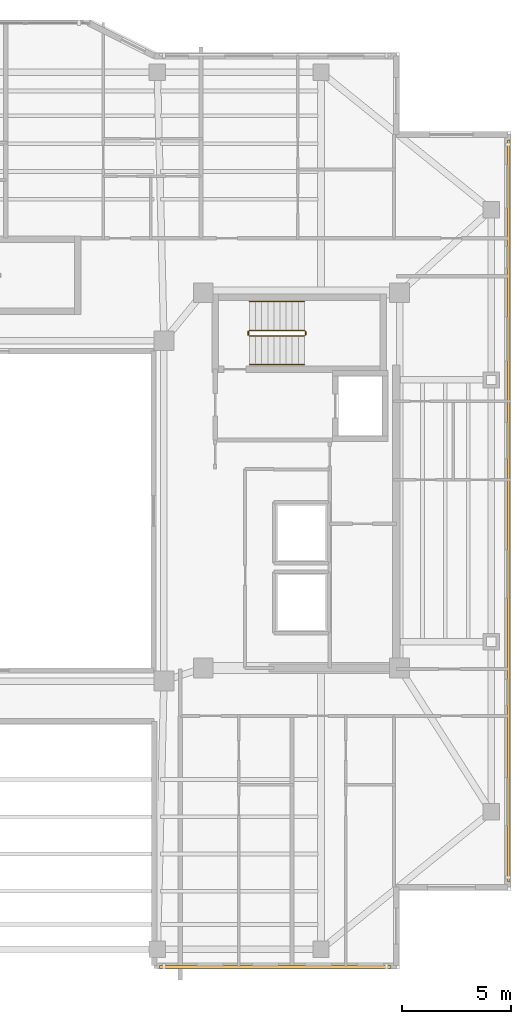
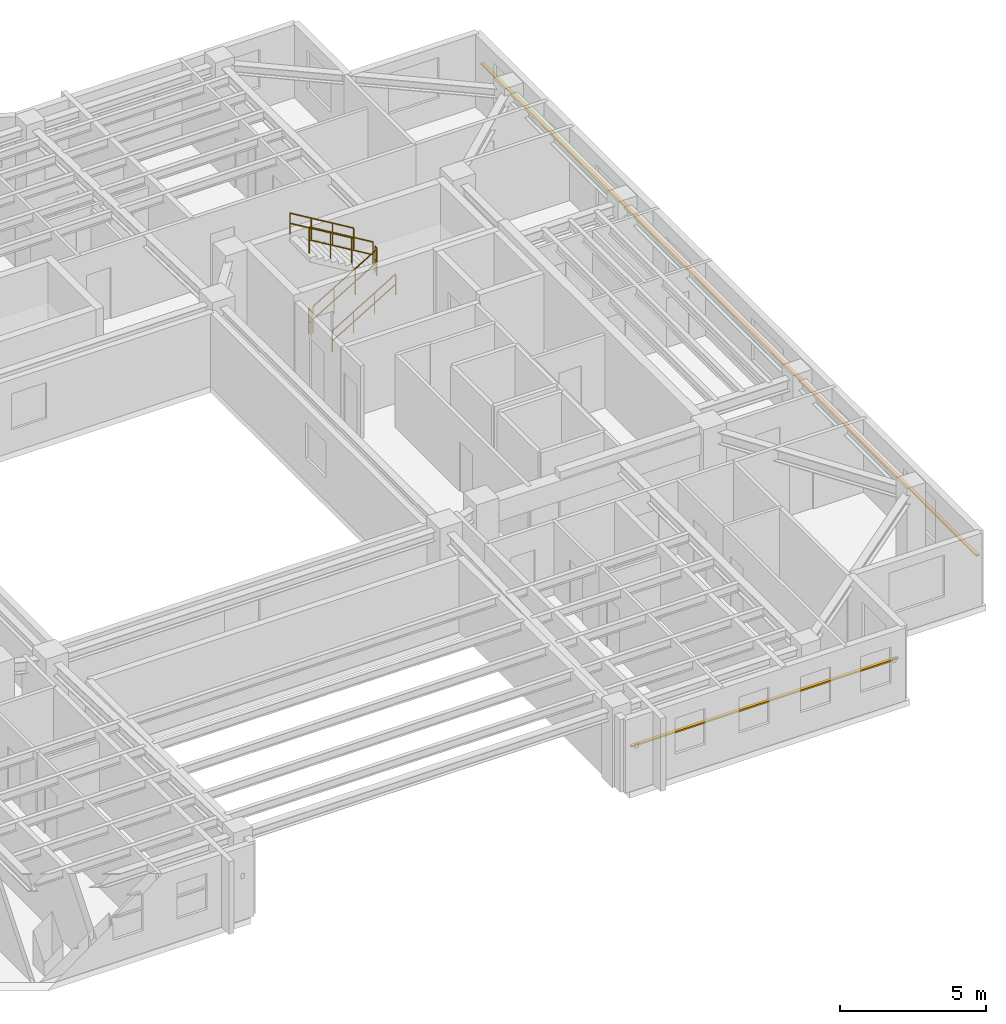
# One storey, part 12 of 13: 6 railings, 2 shading devices.
"""IFC4 building model written with IfcOpenShell, lengths in metres."""

from ifc_helpers import new_model, si_unit, direction, frame, origin, origin_2d, place, context, subcontext, project, spatial, rectangle, circle, extrude, material, material_profile, profile_set, type_object, element, save


model = new_model("IFC4")

# Units and contexts
model_context = context("Model", 3, precision=1e-05, world=origin(), true_north=direction((0.0, 1.0)))
body_context = subcontext(model_context, "Body", "Model", "MODEL_VIEW")
ifc_project = project(units=[si_unit("LENGTHUNIT", "METRE"), si_unit("AREAUNIT", "SQUARE_METRE"), si_unit("VOLUMEUNIT", "CUBIC_METRE"), si_unit("PLANEANGLEUNIT", "RADIAN"), si_unit("MASSUNIT", "GRAM", prefix="KILO")], contexts=[model_context])

# Site, building, storey
site_placement = place(None, origin())
site = spatial("IfcSite", under=ifc_project, at=site_placement, CompositionType="ELEMENT")
building_placement = place(site_placement, origin())
building = spatial("IfcBuilding", under=site, at=building_placement, Name="Tarnavaz Court Tower", CompositionType="ELEMENT")
storey_placement = place(building_placement, frame((0.0, 0.0, 223.75)))
storey = spatial("IfcBuildingStorey", under=building, at=storey_placement, Name="L61", CompositionType="ELEMENT", Elevation=223.75)

# Railings
ifc_material_1 = material(Name="Brushed Stainless Steel", Category="steel")
railing_type_1 = type_object("IfcRailingType", Name="RL-HANDRAIL-900", PredefinedType="HANDRAIL", material=ifc_material_1)
railing_1_placement = place(storey_placement, frame((11.719970703125, 6.699951171875, 0.16748046875)))
element("IfcRailing", 1, at=railing_1_placement, inside=storey, type_object=railing_type_1, Name="L61 ST-E1 stair handrail 1", PredefinedType="HANDRAIL", context=body_context, shape_type="SweptSolid", body=[
    extrude(circle(Radius=0.02392578125, at=origin_2d()), frame((0.0, 0.0, 0.8759765625), z_axis=(0.858159760407, 0.0, 0.513382728203), x_axis=(0.0, 1.0, 0.0)), (0.0, 0.0, 1.0), 2.9365234375),
    extrude(circle(Radius=0.02392578125, at=origin_2d()), frame((0.0, 0.0, 0.449951171875), z_axis=(0.858159760407, 0.0, 0.513382728203), x_axis=(0.0, 1.0, 0.0)), (0.0, 0.0, 1.0), 2.9365234375),
    extrude(circle(Radius=0.02099609375, at=origin_2d()), origin(), (0.0, 0.0, 1.0), 0.851806640625),
    extrude(circle(Radius=0.02099609375, at=origin_2d()), frame((0.840087890625, 0.0, 0.50244140625)), (0.0, 0.0, 1.0), 0.851806640625),
    extrude(circle(Radius=0.02099609375, at=origin_2d()), frame((1.679931640625, 0.0, 1.005126953125)), (0.0, 0.0, 1.0), 0.851806640625),
    extrude(circle(Radius=0.02099609375, at=origin_2d()), frame((2.52001953125, 0.0, 1.507568359375)), (0.0, 0.0, 1.0), 0.851806640625),
])
railing_2_placement = place(storey_placement, frame((14.239990234375, 9.590087890625, 1.842529296875)))
element("IfcRailing", 2, at=railing_2_placement, inside=storey, type_object=railing_type_1, Name="L61 ST-E1 stair handrail 2", PredefinedType="HANDRAIL", context=body_context, shape_type="SweptSolid", body=[
    extrude(circle(Radius=0.02392578125, at=origin_2d()), frame((0.0, 0.0, 0.8759765625), z_axis=(-0.858159760407, 0.0, 0.513382728203), x_axis=(0.0, -1.0, 0.0)), (0.0, 0.0, 1.0), 2.9365234375),
    extrude(circle(Radius=0.02392578125, at=origin_2d()), frame((0.0, 0.0, 0.449951171875), z_axis=(-0.858159760407, 0.0, 0.513382728203), x_axis=(0.0, -1.0, 0.0)), (0.0, 0.0, 1.0), 2.9365234375),
    extrude(circle(Radius=0.02099609375, at=origin_2d()), origin(), (0.0, 0.0, 1.0), 0.851806640625),
    extrude(circle(Radius=0.02099609375, at=origin_2d()), frame((-0.840087890625, 0.0, 0.50244140625)), (0.0, 0.0, 1.0), 0.851806640625),
    extrude(circle(Radius=0.02099609375, at=origin_2d()), frame((-1.679931640625, 0.0, 1.005126953125)), (0.0, 0.0, 1.0), 0.851806640625),
    extrude(circle(Radius=0.02099609375, at=origin_2d()), frame((-2.52001953125, 0.0, 1.507568359375)), (0.0, 0.0, 1.0), 0.851806640625),
])
ifc_material_2 = material(Name="Galvanized Painted Tubular Steel", Category="steel")
railing_type_2 = type_object("IfcRailingType", Name="RL-STGUARD-1120", PredefinedType="GUARDRAIL", material=ifc_material_2)
railing_3_placement = place(storey_placement, frame((11.719970703125, 8.02001953125, 0.16748046875)))
element("IfcRailing", 3, at=railing_3_placement, inside=storey, type_object=railing_type_2, Name="L61 ST-E1 stair guard 1", PredefinedType="GUARDRAIL", context=body_context, shape_type="SweptSolid", body=[
    extrude(circle(Radius=0.02392578125, at=origin_2d()), frame((0.0, 0.0, 1.09619140625), z_axis=(0.858159760407, 0.0, 0.513382728203), x_axis=(0.0, 1.0, 0.0)), (0.0, 0.0, 1.0), 2.9365234375),
    extrude(circle(Radius=0.02392578125, at=origin_2d()), frame((0.0, 0.0, 0.56005859375), z_axis=(0.858159760407, 0.0, 0.513382728203), x_axis=(0.0, 1.0, 0.0)), (0.0, 0.0, 1.0), 2.9365234375),
    extrude(circle(Radius=0.02099609375, at=origin_2d()), origin(), (0.0, 0.0, 1.0), 1.072021484375),
    extrude(circle(Radius=0.02099609375, at=origin_2d()), frame((0.840087890625, 0.0, 0.50244140625)), (0.0, 0.0, 1.0), 1.072021484375),
    extrude(circle(Radius=0.02099609375, at=origin_2d()), frame((1.679931640625, 0.0, 1.005126953125)), (0.0, 0.0, 1.0), 1.072021484375),
    extrude(circle(Radius=0.02099609375, at=origin_2d()), frame((2.52001953125, 0.0, 1.507568359375)), (0.0, 0.0, 1.0), 1.072021484375),
])
railing_4_placement = place(storey_placement, frame((14.2900390625, 8.070068359375, 1.675048828125)))
element("IfcRailing", 4, at=railing_4_placement, inside=storey, type_object=railing_type_2, Name="L61 ST-E1 stair guard 2", PredefinedType="GUARDRAIL", context=body_context, shape_type="SweptSolid", body=[
    extrude(circle(Radius=0.02392578125, at=origin_2d()), frame((0.0, 0.0, 1.09619140625), z_axis=(0.0, 1.0, 0.0), x_axis=(-1.0, 0.0, 0.0)), (0.0, 0.0, 1.0), 0.14990234375),
    extrude(circle(Radius=0.02392578125, at=origin_2d()), frame((0.0, 0.0, 0.56005859375), z_axis=(0.0, 1.0, 0.0), x_axis=(-1.0, 0.0, 0.0)), (0.0, 0.0, 1.0), 0.14990234375),
    extrude(circle(Radius=0.02099609375, at=origin_2d()), origin(), (0.0, 0.0, 1.0), 1.072021484375),
    extrude(circle(Radius=0.02099609375, at=origin_2d()), frame((0.0, 0.14990234375, 0.0)), (0.0, 0.0, 1.0), 1.072021484375),
])
railing_5_placement = place(storey_placement, frame((14.239990234375, 8.27001953125, 1.842529296875)))
element("IfcRailing", 5, at=railing_5_placement, inside=storey, type_object=railing_type_2, Name="L61 ST-E1 stair guard 3", PredefinedType="GUARDRAIL", context=body_context, shape_type="SweptSolid", body=[
    extrude(circle(Radius=0.02392578125, at=origin_2d()), frame((0.0, 0.0, 1.09619140625), z_axis=(-0.858159760407, 0.0, 0.513382728203), x_axis=(0.0, -1.0, 0.0)), (0.0, 0.0, 1.0), 2.9365234375),
    extrude(circle(Radius=0.02392578125, at=origin_2d()), frame((0.0, 0.0, 0.56005859375), z_axis=(-0.858159760407, 0.0, 0.513382728203), x_axis=(0.0, -1.0, 0.0)), (0.0, 0.0, 1.0), 2.9365234375),
    extrude(circle(Radius=0.02099609375, at=origin_2d()), origin(), (0.0, 0.0, 1.0), 1.072021484375),
    extrude(circle(Radius=0.02099609375, at=origin_2d()), frame((-0.840087890625, 0.0, 0.50244140625)), (0.0, 0.0, 1.0), 1.072021484375),
    extrude(circle(Radius=0.02099609375, at=origin_2d()), frame((-1.679931640625, 0.0, 1.005126953125)), (0.0, 0.0, 1.0), 1.072021484375),
    extrude(circle(Radius=0.02099609375, at=origin_2d()), frame((-2.52001953125, 0.0, 1.507568359375)), (0.0, 0.0, 1.0), 1.072021484375),
])
railing_6_placement = place(storey_placement, frame((11.669921875, 8.070068359375, 0.0)))
element("IfcRailing", 6, at=railing_6_placement, inside=storey, type_object=railing_type_2, Name="L61 ST-E1 stair guard 4", PredefinedType="GUARDRAIL", context=body_context, shape_type="SweptSolid", body=[
    extrude(circle(Radius=0.02392578125, at=origin_2d()), frame((0.0, 0.0, 1.09619140625), z_axis=(0.0, 1.0, 0.0), x_axis=(-1.0, 0.0, 0.0)), (0.0, 0.0, 1.0), 0.14990234375),
    extrude(circle(Radius=0.02392578125, at=origin_2d()), frame((0.0, 0.0, 0.56005859375), z_axis=(0.0, 1.0, 0.0), x_axis=(-1.0, 0.0, 0.0)), (0.0, 0.0, 1.0), 0.14990234375),
    extrude(circle(Radius=0.02099609375, at=origin_2d()), origin(), (0.0, 0.0, 1.0), 1.072021484375),
    extrude(circle(Radius=0.02099609375, at=origin_2d()), frame((0.0, 0.14990234375, 0.0)), (0.0, 0.0, 1.0), 1.072021484375),
])

# Shading devices
ifc_material_3 = material(Name="Kiln-Fired Khorasan Terracotta Ceramic", Category="masonry")
ifc_material_profile = material_profile(ifc_material_3, rectangle(XDim=0.1201171875, YDim=0.06005859375, at=origin_2d()), Name="TC BAGUETTE 120X60")
ifc_profile_set = profile_set([ifc_material_profile], Name="Kiln-Fired Khorasan Terracotta Ceramic")
shading_device_type = type_object("IfcShadingDeviceType", Name="SD-BAG-120", PredefinedType="USERDEFINED", material=ifc_profile_set)
shading_device_1_placement = place(storey_placement, frame((23.610107421875, 17.0, 1.85009765625), z_axis=(0.0, -1.0, 0.0), x_axis=(1.0, 0.0, 0.0)))
element("IfcShadingDevice", 7, at=shading_device_1_placement, inside=storey, type_object=shading_device_type, Name="L61 Terracotta Baguette Screen FBG12", ObjectType="BAGUETTE", PredefinedType="USERDEFINED", context=body_context, shape_type="SweptSolid", body=[
    extrude(rectangle(XDim=0.1201171875, YDim=0.06005859375, at=origin_2d()), origin(), (0.0, 0.0, 1.0), 34.0),
])
shading_device_2_placement = place(storey_placement, frame((18.199951171875, -20.909912109375, 1.85009765625), z_axis=(-1.0, 0.0, 0.0), x_axis=(0.0, -1.0, 0.0)))
element("IfcShadingDevice", 8, at=shading_device_2_placement, inside=storey, type_object=shading_device_type, Name="L61 Terracotta Baguette Screen FBG15", ObjectType="BAGUETTE", PredefinedType="USERDEFINED", context=body_context, shape_type="SweptSolid", body=[
    extrude(rectangle(XDim=0.1201171875, YDim=0.06005859375, at=origin_2d()), origin(), (0.0, 0.0, 1.0), 10.599853515625),
])

save(model, "model.ifc")
